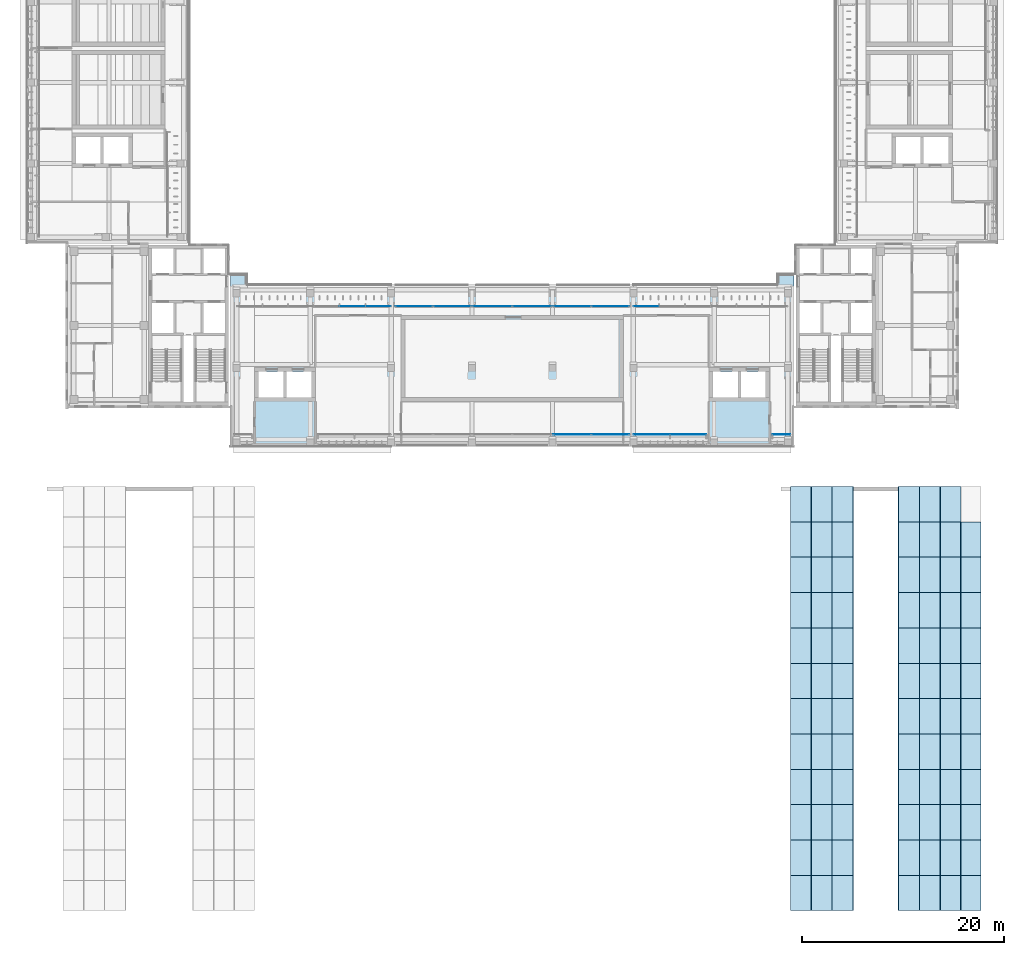
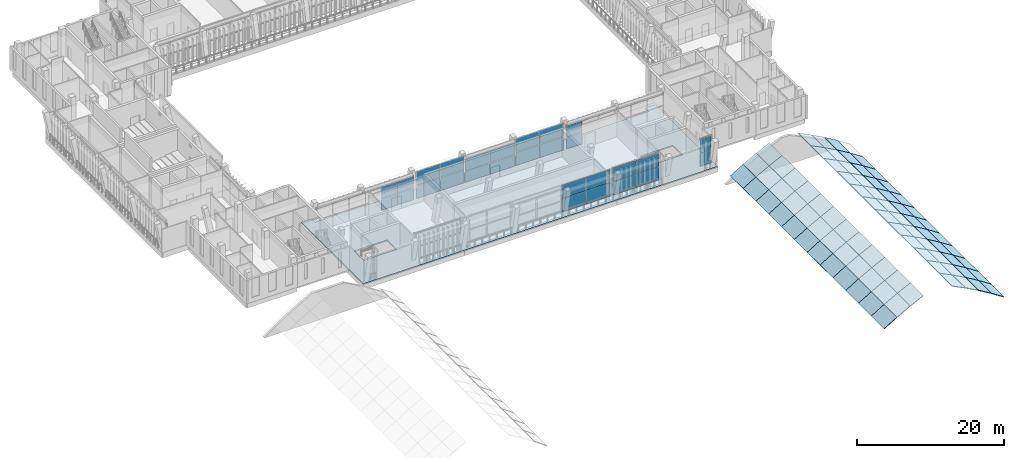
# One storey, part 37 of 74: 84 slabs, 28 plates, 8 elements without a shape of their own.
"""IFC4 building model written with IfcOpenShell, lengths in metres."""

from ifc_helpers import new_model, si_unit, direction, frame, origin, origin_2d, place, context, subcontext, project, spatial, polyline, rectangle, outline, extrude, material, layer, layer_set, type_object, element, aggregate, save


model = new_model("IFC4")

# Units and contexts
model_context = context("Model", 3, precision=1e-05, world=origin(), true_north=direction((0.0, 1.0)))
body_context = subcontext(model_context, "Body", "Model", "MODEL_VIEW")
ifc_project = project(units=[si_unit("LENGTHUNIT", "METRE"), si_unit("AREAUNIT", "SQUARE_METRE"), si_unit("VOLUMEUNIT", "CUBIC_METRE"), si_unit("PLANEANGLEUNIT", "RADIAN"), si_unit("MASSUNIT", "GRAM", prefix="KILO")], contexts=[model_context])

# Site, building, storey
site_placement = place(None, origin())
site = spatial("IfcSite", under=ifc_project, at=site_placement, CompositionType="ELEMENT")
building_placement = place(site_placement, origin())
building = spatial("IfcBuilding", under=site, at=building_placement, Name="Lantern Court Media Centre", CompositionType="ELEMENT")
storey_placement = place(building_placement, frame((0.0, 0.0, 19.199951171875)))
storey = spatial("IfcBuildingStorey", under=building, at=storey_placement, Name="L04", CompositionType="ELEMENT", Elevation=19.199951171875)

# Curtain wall, plates
ifc_material_1 = material(Name="Curtain wall bay 2400")
curtain_wall_type_1 = type_object("IfcCurtainWallType", Name="Curtain wall bay 2400", PredefinedType="NOTDEFINED", material=ifc_material_1)
curtain_wall_1_placement = place(storey_placement, origin())
curtain_wall_1 = element("IfcCurtainWall", 1, at=curtain_wall_1_placement, inside=storey, type_object=curtain_wall_type_1, Name="Curtain wall S inner L04", PredefinedType="NOTDEFINED")
ifc_material_2 = material(Name="Low-iron double glazed unit glass", Category="glass")
ifc_layer_1 = layer(ifc_material_2, 0.02392578125)
ifc_layer_set_1 = layer_set([ifc_layer_1], Name="Low-iron double glazed unit glass")
plate_type_1 = type_object("IfcPlateType", Name="Curtain wall glazing unit 24", PredefinedType="CURTAIN_PANEL", material=ifc_layer_set_1)
plate_1_placement = place(storey_placement, frame((36.175048828125, 57.85009765625, 0.050048828125), z_axis=(0.0, 0.0, 1.0), x_axis=(1.0, 0.0, 0.0)))
plate_1 = element("IfcPlate", 2, at=plate_1_placement, type_object=plate_type_1, Name="CW2 panel 5.1", PredefinedType="CURTAIN_PANEL", context=body_context, shape_type="SweptSolid", body=[
    extrude(rectangle(XDim=2.5, YDim=0.02392578125, at=origin_2d()), origin(), (0.0, 0.0, 1.0), 1.89990234375),
])
plate_2_placement = place(storey_placement, frame((36.175048828125, 57.85009765625, 2.0), z_axis=(0.0, 0.0, 1.0), x_axis=(1.0, 0.0, 0.0)))
plate_2 = element("IfcPlate", 3, at=plate_2_placement, type_object=plate_type_1, Name="CW2 panel 5.2", PredefinedType="CURTAIN_PANEL", context=body_context, shape_type="SweptSolid", body=[
    extrude(rectangle(XDim=2.5, YDim=0.02392578125, at=origin_2d()), origin(), (0.0, 0.0, 1.0), 1.89990234375),
])
plate_3_placement = place(storey_placement, frame((38.71240234375, 57.85009765625, 0.050048828125), z_axis=(0.0, 0.0, 1.0), x_axis=(1.0, 0.0, 0.0)))
plate_3 = element("IfcPlate", 4, at=plate_3_placement, type_object=plate_type_1, Name="CW2 panel 6.1", PredefinedType="CURTAIN_PANEL", context=body_context, shape_type="SweptSolid", body=[
    extrude(rectangle(XDim=2.47509765625, YDim=0.02392578125, at=origin_2d()), origin(), (0.0, 0.0, 1.0), 1.89990234375),
])
plate_4_placement = place(storey_placement, frame((38.71240234375, 57.85009765625, 2.0), z_axis=(0.0, 0.0, 1.0), x_axis=(1.0, 0.0, 0.0)))
plate_4 = element("IfcPlate", 5, at=plate_4_placement, type_object=plate_type_1, Name="CW2 panel 6.2", PredefinedType="CURTAIN_PANEL", context=body_context, shape_type="SweptSolid", body=[
    extrude(rectangle(XDim=2.47509765625, YDim=0.02392578125, at=origin_2d()), origin(), (0.0, 0.0, 1.0), 1.89990234375),
])
aggregate(curtain_wall_1, [plate_1, plate_2, plate_3, plate_4])

curtain_wall_2_placement = place(storey_placement, origin())
curtain_wall_2 = element("IfcCurtainWall", 6, at=curtain_wall_2_placement, inside=storey, type_object=curtain_wall_type_1, Name="Curtain wall S inner L04", PredefinedType="NOTDEFINED")
plate_5_placement = place(storey_placement, frame((65.28759765625, 57.85009765625, 0.050048828125), z_axis=(0.0, 0.0, 1.0), x_axis=(1.0, 0.0, 0.0)))
plate_5 = element("IfcPlate", 7, at=plate_5_placement, type_object=plate_type_1, Name="CW2 panel 1.1", PredefinedType="CURTAIN_PANEL", context=body_context, shape_type="SweptSolid", body=[
    extrude(rectangle(XDim=2.47509765625, YDim=0.02392578125, at=origin_2d()), origin(), (0.0, 0.0, 1.0), 1.89990234375),
])
plate_6_placement = place(storey_placement, frame((65.28759765625, 57.85009765625, 2.0), z_axis=(0.0, 0.0, 1.0), x_axis=(1.0, 0.0, 0.0)))
plate_6 = element("IfcPlate", 8, at=plate_6_placement, type_object=plate_type_1, Name="CW2 panel 1.2", PredefinedType="CURTAIN_PANEL", context=body_context, shape_type="SweptSolid", body=[
    extrude(rectangle(XDim=2.47509765625, YDim=0.02392578125, at=origin_2d()), origin(), (0.0, 0.0, 1.0), 1.89990234375),
])
aggregate(curtain_wall_2, [plate_5, plate_6])

ifc_material_3 = material(Name="Curtain wall bay 3000")
curtain_wall_type_2 = type_object("IfcCurtainWallType", Name="Curtain wall bay 3000", PredefinedType="NOTDEFINED", material=ifc_material_3)
curtain_wall_3_placement = place(storey_placement, origin())
curtain_wall_3 = element("IfcCurtainWall", 9, at=curtain_wall_3_placement, inside=storey, type_object=curtain_wall_type_2, Name="Curtain wall S outer L04", PredefinedType="NOTDEFINED")
ifc_layer_2 = layer(ifc_material_2, 0.028076171875)
ifc_layer_set_2 = layer_set([ifc_layer_2], Name="Low-iron double glazed unit glass")
plate_type_2 = type_object("IfcPlateType", Name="Curtain wall glazing unit 28", PredefinedType="CURTAIN_PANEL", material=ifc_layer_set_2)
plate_7_placement = place(storey_placement, frame((65.827392578125, 45.14990234375, 0.06005859375), z_axis=(0.0, 0.0, 1.0), x_axis=(1.0, 0.0, 0.0)))
plate_7 = element("IfcPlate", 10, at=plate_7_placement, type_object=plate_type_2, Name="CW1 panel 1.1", PredefinedType="CURTAIN_PANEL", context=body_context, shape_type="SweptSolid", body=[
    extrude(rectangle(XDim=3.534912109375, YDim=0.028076171875, at=origin_2d()), origin(), (0.0, 0.0, 1.0), 2.199951171875),
])
plate_8_placement = place(storey_placement, frame((65.827392578125, 45.14990234375, 2.3203125), z_axis=(0.0, 0.0, 1.0), x_axis=(1.0, 0.0, 0.0)))
plate_8 = element("IfcPlate", 11, at=plate_8_placement, type_object=plate_type_2, Name="CW1 panel 1.2", PredefinedType="CURTAIN_PANEL", context=body_context, shape_type="SweptSolid", body=[
    extrude(rectangle(XDim=3.534912109375, YDim=0.028076171875, at=origin_2d()), origin(), (0.0, 0.0, 1.0), 2.199951171875),
])
plate_9_placement = place(storey_placement, frame((69.422607421875, 45.14990234375, 0.06005859375), z_axis=(0.0, 0.0, 1.0), x_axis=(1.0, 0.0, 0.0)))
plate_9 = element("IfcPlate", 12, at=plate_9_placement, type_object=plate_type_2, Name="CW1 panel 2.1", PredefinedType="CURTAIN_PANEL", context=body_context, shape_type="SweptSolid", body=[
    extrude(rectangle(XDim=3.534912109375, YDim=0.028076171875, at=origin_2d()), origin(), (0.0, 0.0, 1.0), 2.199951171875),
])
plate_10_placement = place(storey_placement, frame((69.422607421875, 45.14990234375, 2.3203125), z_axis=(0.0, 0.0, 1.0), x_axis=(1.0, 0.0, 0.0)))
plate_10 = element("IfcPlate", 13, at=plate_10_placement, type_object=plate_type_2, Name="CW1 panel 2.2", PredefinedType="CURTAIN_PANEL", context=body_context, shape_type="SweptSolid", body=[
    extrude(rectangle(XDim=3.534912109375, YDim=0.028076171875, at=origin_2d()), origin(), (0.0, 0.0, 1.0), 2.199951171875),
])
aggregate(curtain_wall_3, [plate_7, plate_8, plate_9, plate_10])

curtain_wall_4_placement = place(storey_placement, origin())
curtain_wall_4 = element("IfcCurtainWall", 14, at=curtain_wall_4_placement, inside=storey, type_object=curtain_wall_type_2, Name="Curtain wall S outer L04", PredefinedType="NOTDEFINED")
plate_11_placement = place(storey_placement, frame((78.6650390625, 45.14990234375, 0.06005859375), z_axis=(0.0, 0.0, 1.0), x_axis=(1.0, 0.0, 0.0)))
plate_11 = element("IfcPlate", 15, at=plate_11_placement, type_object=plate_type_2, Name="CW1 panel 1.1", PredefinedType="CURTAIN_PANEL", context=body_context, shape_type="SweptSolid", body=[
    extrude(rectangle(XDim=1.7099609375, YDim=0.028076171875, at=origin_2d()), origin(), (0.0, 0.0, 1.0), 2.199951171875),
])
plate_12_placement = place(storey_placement, frame((78.6650390625, 45.14990234375, 2.3203125), z_axis=(0.0, 0.0, 1.0), x_axis=(1.0, 0.0, 0.0)))
plate_12 = element("IfcPlate", 16, at=plate_12_placement, type_object=plate_type_2, Name="CW1 panel 1.2", PredefinedType="CURTAIN_PANEL", context=body_context, shape_type="SweptSolid", body=[
    extrude(rectangle(XDim=1.7099609375, YDim=0.028076171875, at=origin_2d()), origin(), (0.0, 0.0, 1.0), 2.199951171875),
])
aggregate(curtain_wall_4, [plate_11, plate_12])

ifc_material_4 = material(Name="Curtain wall bay 4000")
curtain_wall_type_3 = type_object("IfcCurtainWallType", Name="Curtain wall bay 4000", PredefinedType="NOTDEFINED", material=ifc_material_4)
curtain_wall_5_placement = place(storey_placement, origin())
curtain_wall_5 = element("IfcCurtainWall", 17, at=curtain_wall_5_placement, inside=storey, type_object=curtain_wall_type_3, Name="Curtain wall S outer L04", PredefinedType="NOTDEFINED")
ifc_material_5 = material(Name="Laminated low-iron glass", Category="glass")
ifc_layer_3 = layer(ifc_material_5, 0.0400390625)
ifc_layer_set_3 = layer_set([ifc_layer_3], Name="Laminated low-iron glass")
plate_type_3 = type_object("IfcPlateType", Name="Curtain wall glazing unit 40", PredefinedType="CURTAIN_PANEL", material=ifc_layer_set_3)
plate_13_placement = place(storey_placement, frame((57.9326171875, 45.14990234375, 0.080078125), z_axis=(0.0, 0.0, 1.0), x_axis=(1.0, 0.0, 0.0)))
plate_13 = element("IfcPlate", 18, at=plate_13_placement, type_object=plate_type_3, Name="CW3 panel 1.1", PredefinedType="CURTAIN_PANEL", context=body_context, shape_type="SweptSolid", body=[
    extrude(rectangle(XDim=3.705078125, YDim=0.0400390625, at=origin_2d()), origin(), (0.0, 0.0, 1.0), 2.169921875),
])
plate_14_placement = place(storey_placement, frame((57.9326171875, 45.14990234375, 2.330078125), z_axis=(0.0, 0.0, 1.0), x_axis=(1.0, 0.0, 0.0)))
plate_14 = element("IfcPlate", 19, at=plate_14_placement, type_object=plate_type_3, Name="CW3 panel 1.2", PredefinedType="CURTAIN_PANEL", context=body_context, shape_type="SweptSolid", body=[
    extrude(rectangle(XDim=3.705078125, YDim=0.0400390625, at=origin_2d()), origin(), (0.0, 0.0, 1.0), 2.169921875),
])
plate_15_placement = place(storey_placement, frame((61.717529296875, 45.14990234375, 0.080078125), z_axis=(0.0, 0.0, 1.0), x_axis=(1.0, 0.0, 0.0)))
plate_15 = element("IfcPlate", 20, at=plate_15_placement, type_object=plate_type_3, Name="CW3 panel 2.1", PredefinedType="CURTAIN_PANEL", context=body_context, shape_type="SweptSolid", body=[
    extrude(rectangle(XDim=3.705078125, YDim=0.0400390625, at=origin_2d()), origin(), (0.0, 0.0, 1.0), 2.169921875),
])
plate_16_placement = place(storey_placement, frame((61.717529296875, 45.14990234375, 2.330078125), z_axis=(0.0, 0.0, 1.0), x_axis=(1.0, 0.0, 0.0)))
plate_16 = element("IfcPlate", 21, at=plate_16_placement, type_object=plate_type_3, Name="CW3 panel 2.2", PredefinedType="CURTAIN_PANEL", context=body_context, shape_type="SweptSolid", body=[
    extrude(rectangle(XDim=3.705078125, YDim=0.0400390625, at=origin_2d()), origin(), (0.0, 0.0, 1.0), 2.169921875),
])
aggregate(curtain_wall_5, [plate_13, plate_14, plate_15, plate_16])

curtain_wall_6_placement = place(storey_placement, origin())
curtain_wall_6 = element("IfcCurtainWall", 22, at=curtain_wall_6_placement, inside=storey, type_object=curtain_wall_type_3, Name="Curtain wall S inner L04", PredefinedType="NOTDEFINED")
plate_17_placement = place(storey_placement, frame((42.282470703125, 57.85009765625, 0.080078125), z_axis=(0.0, 0.0, 1.0), x_axis=(1.0, 0.0, 0.0)))
plate_17 = element("IfcPlate", 23, at=plate_17_placement, type_object=plate_type_3, Name="CW3 panel 1.1", PredefinedType="CURTAIN_PANEL", context=body_context, shape_type="SweptSolid", body=[
    extrude(rectangle(XDim=3.705078125, YDim=0.0400390625, at=origin_2d()), origin(), (0.0, 0.0, 1.0), 2.169921875),
])
plate_18_placement = place(storey_placement, frame((42.282470703125, 57.85009765625, 2.330078125), z_axis=(0.0, 0.0, 1.0), x_axis=(1.0, 0.0, 0.0)))
plate_18 = element("IfcPlate", 24, at=plate_18_placement, type_object=plate_type_3, Name="CW3 panel 1.2", PredefinedType="CURTAIN_PANEL", context=body_context, shape_type="SweptSolid", body=[
    extrude(rectangle(XDim=3.705078125, YDim=0.0400390625, at=origin_2d()), origin(), (0.0, 0.0, 1.0), 2.169921875),
])
plate_19_placement = place(storey_placement, frame((46.0673828125, 57.85009765625, 0.080078125), z_axis=(0.0, 0.0, 1.0), x_axis=(1.0, 0.0, 0.0)))
plate_19 = element("IfcPlate", 25, at=plate_19_placement, type_object=plate_type_3, Name="CW3 panel 2.1", PredefinedType="CURTAIN_PANEL", context=body_context, shape_type="SweptSolid", body=[
    extrude(rectangle(XDim=3.705078125, YDim=0.0400390625, at=origin_2d()), origin(), (0.0, 0.0, 1.0), 2.169921875),
])
plate_20_placement = place(storey_placement, frame((46.0673828125, 57.85009765625, 2.330078125), z_axis=(0.0, 0.0, 1.0), x_axis=(1.0, 0.0, 0.0)))
plate_20 = element("IfcPlate", 26, at=plate_20_placement, type_object=plate_type_3, Name="CW3 panel 2.2", PredefinedType="CURTAIN_PANEL", context=body_context, shape_type="SweptSolid", body=[
    extrude(rectangle(XDim=3.705078125, YDim=0.0400390625, at=origin_2d()), origin(), (0.0, 0.0, 1.0), 2.169921875),
])
aggregate(curtain_wall_6, [plate_17, plate_18, plate_19, plate_20])

curtain_wall_7_placement = place(storey_placement, origin())
curtain_wall_7 = element("IfcCurtainWall", 27, at=curtain_wall_7_placement, inside=storey, type_object=curtain_wall_type_3, Name="Curtain wall S inner L04", PredefinedType="NOTDEFINED")
plate_21_placement = place(storey_placement, frame((50.02001953125, 57.85009765625, 0.080078125), z_axis=(0.0, 0.0, 1.0), x_axis=(1.0, 0.0, 0.0)))
plate_21 = element("IfcPlate", 28, at=plate_21_placement, type_object=plate_type_3, Name="CW3 panel 1.1", PredefinedType="CURTAIN_PANEL", context=body_context, shape_type="SweptSolid", body=[
    extrude(rectangle(XDim=3.8798828125, YDim=0.0400390625, at=origin_2d()), origin(), (0.0, 0.0, 1.0), 1.85498046875),
])
plate_22_placement = place(storey_placement, frame((50.02001953125, 57.85009765625, 2.01513671875), z_axis=(0.0, 0.0, 1.0), x_axis=(1.0, 0.0, 0.0)))
plate_22 = element("IfcPlate", 29, at=plate_22_placement, type_object=plate_type_3, Name="CW3 panel 1.2", PredefinedType="CURTAIN_PANEL", context=body_context, shape_type="SweptSolid", body=[
    extrude(rectangle(XDim=3.8798828125, YDim=0.0400390625, at=origin_2d()), origin(), (0.0, 0.0, 1.0), 1.85498046875),
])
plate_23_placement = place(storey_placement, frame((53.97998046875, 57.85009765625, 0.080078125), z_axis=(0.0, 0.0, 1.0), x_axis=(1.0, 0.0, 0.0)))
plate_23 = element("IfcPlate", 30, at=plate_23_placement, type_object=plate_type_3, Name="CW3 panel 2.1", PredefinedType="CURTAIN_PANEL", context=body_context, shape_type="SweptSolid", body=[
    extrude(rectangle(XDim=3.8798828125, YDim=0.0400390625, at=origin_2d()), origin(), (0.0, 0.0, 1.0), 1.85498046875),
])
plate_24_placement = place(storey_placement, frame((53.97998046875, 57.85009765625, 2.01513671875), z_axis=(0.0, 0.0, 1.0), x_axis=(1.0, 0.0, 0.0)))
plate_24 = element("IfcPlate", 31, at=plate_24_placement, type_object=plate_type_3, Name="CW3 panel 2.2", PredefinedType="CURTAIN_PANEL", context=body_context, shape_type="SweptSolid", body=[
    extrude(rectangle(XDim=3.8798828125, YDim=0.0400390625, at=origin_2d()), origin(), (0.0, 0.0, 1.0), 1.85498046875),
])
aggregate(curtain_wall_7, [plate_21, plate_22, plate_23, plate_24])

curtain_wall_8_placement = place(storey_placement, origin())
curtain_wall_8 = element("IfcCurtainWall", 32, at=curtain_wall_8_placement, inside=storey, type_object=curtain_wall_type_3, Name="Curtain wall S inner L04", PredefinedType="NOTDEFINED")
plate_25_placement = place(storey_placement, frame((57.9326171875, 57.85009765625, 0.080078125), z_axis=(0.0, 0.0, 1.0), x_axis=(1.0, 0.0, 0.0)))
plate_25 = element("IfcPlate", 33, at=plate_25_placement, type_object=plate_type_3, Name="CW3 panel 1.1", PredefinedType="CURTAIN_PANEL", context=body_context, shape_type="SweptSolid", body=[
    extrude(rectangle(XDim=3.705078125, YDim=0.0400390625, at=origin_2d()), origin(), (0.0, 0.0, 1.0), 2.169921875),
])
plate_26_placement = place(storey_placement, frame((57.9326171875, 57.85009765625, 2.330078125), z_axis=(0.0, 0.0, 1.0), x_axis=(1.0, 0.0, 0.0)))
plate_26 = element("IfcPlate", 34, at=plate_26_placement, type_object=plate_type_3, Name="CW3 panel 1.2", PredefinedType="CURTAIN_PANEL", context=body_context, shape_type="SweptSolid", body=[
    extrude(rectangle(XDim=3.705078125, YDim=0.0400390625, at=origin_2d()), origin(), (0.0, 0.0, 1.0), 2.169921875),
])
plate_27_placement = place(storey_placement, frame((61.717529296875, 57.85009765625, 0.080078125), z_axis=(0.0, 0.0, 1.0), x_axis=(1.0, 0.0, 0.0)))
plate_27 = element("IfcPlate", 35, at=plate_27_placement, type_object=plate_type_3, Name="CW3 panel 2.1", PredefinedType="CURTAIN_PANEL", context=body_context, shape_type="SweptSolid", body=[
    extrude(rectangle(XDim=3.705078125, YDim=0.0400390625, at=origin_2d()), origin(), (0.0, 0.0, 1.0), 2.169921875),
])
plate_28_placement = place(storey_placement, frame((61.717529296875, 57.85009765625, 2.330078125), z_axis=(0.0, 0.0, 1.0), x_axis=(1.0, 0.0, 0.0)))
plate_28 = element("IfcPlate", 36, at=plate_28_placement, type_object=plate_type_3, Name="CW3 panel 2.2", PredefinedType="CURTAIN_PANEL", context=body_context, shape_type="SweptSolid", body=[
    extrude(rectangle(XDim=3.705078125, YDim=0.0400390625, at=origin_2d()), origin(), (0.0, 0.0, 1.0), 2.169921875),
])
aggregate(curtain_wall_8, [plate_25, plate_26, plate_27, plate_28])

# Slabs
ifc_material_6 = material(Name="Zinc standing seam on insulation")
ifc_layer_4 = layer(ifc_material_6, 0.10009765625)
ifc_layer_set_4 = layer_set([ifc_layer_4], Name="Zinc standing seam on insulation")
slab_type_1 = type_object("IfcSlabType", Name="Hall roof panel, standing seam 100", PredefinedType="ROOF", material=ifc_layer_set_4)
for number, where, z_axis, x_axis, name in (
    (37, (79.55517578125, -2.0, 0.989990234375), (-0.513142964408, 0.0, 0.858303150454), (0.858303150454, 0.0, 0.513142964408), "Studio Hall roof panel"),
    (38, (79.55517578125, 1.5, 0.989990234375), (-0.513142964408, 0.0, 0.858303150454), (0.858303150454, 0.0, 0.513142964408), "Studio Hall roof panel"),
    (39, (79.55517578125, 5.0, 0.989990234375), (-0.513142964408, 0.0, 0.858303150454), (0.858303150454, 0.0, 0.513142964408), "Studio Hall roof panel"),
    (40, (79.55517578125, 8.5, 0.989990234375), (-0.513142964408, 0.0, 0.858303150454), (0.858303150454, 0.0, 0.513142964408), "Studio Hall roof panel"),
    (41, (79.55517578125, 12.0, 0.989990234375), (-0.513142964408, 0.0, 0.858303150454), (0.858303150454, 0.0, 0.513142964408), "Studio Hall roof panel"),
    (42, (79.55517578125, 15.5, 0.989990234375), (-0.513142964408, 0.0, 0.858303150454), (0.858303150454, 0.0, 0.513142964408), "Studio Hall roof panel"),
    (43, (79.55517578125, 19.0, 0.989990234375), (-0.513142964408, 0.0, 0.858303150454), (0.858303150454, 0.0, 0.513142964408), "Studio Hall roof panel"),
    (44, (79.55517578125, 22.5, 0.989990234375), (-0.513142964408, 0.0, 0.858303150454), (0.858303150454, 0.0, 0.513142964408), "Studio Hall roof panel"),
    (45, (79.55517578125, 26.0, 0.989990234375), (-0.513142964408, 0.0, 0.858303150454), (0.858303150454, 0.0, 0.513142964408), "Studio Hall roof panel"),
    (46, (79.55517578125, 29.5, 0.989990234375), (-0.513142964408, 0.0, 0.858303150454), (0.858303150454, 0.0, 0.513142964408), "Studio Hall roof panel"),
    (47, (79.55517578125, 33.0, 0.989990234375), (-0.513142964408, 0.0, 0.858303150454), (0.858303150454, 0.0, 0.513142964408), "Studio Hall roof panel"),
    (48, (79.55517578125, 36.5, 0.989990234375), (-0.513142964408, 0.0, 0.858303150454), (0.858303150454, 0.0, 0.513142964408), "Studio Hall roof panel"),
):
    element("IfcSlab", number, at=place(storey_placement, frame(where, z_axis=z_axis, x_axis=x_axis)), inside=storey, type_object=slab_type_1, Name=name, PredefinedType="ROOF", context=body_context, shape_type="SweptSolid", body=[
        extrude(outline(polyline([(0.0, 0.0), (2.3631747261189013, 0.0), (2.3631747261189013, 3.499999999999999), (0.0, 3.499999999999999), (0.0, 0.0)])), origin(), (0.0, 0.0, -1.0), 0.10009765625),
    ])
for number, where, z_axis, x_axis, name in (
    (49, (81.59130859375, -2.0, 2.20703125), (-0.478910031634, 0.0, 0.877863988099), (0.877863988099, 0.0, 0.478910031634), "Studio Hall roof panel"),
    (50, (81.59130859375, 1.5, 2.20703125), (-0.478910031634, 0.0, 0.877863988099), (0.877863988099, 0.0, 0.478910031634), "Studio Hall roof panel"),
    (51, (81.59130859375, 5.0, 2.20703125), (-0.478910031634, 0.0, 0.877863988099), (0.877863988099, 0.0, 0.478910031634), "Studio Hall roof panel"),
    (52, (81.59130859375, 8.5, 2.20703125), (-0.478910031634, 0.0, 0.877863988099), (0.877863988099, 0.0, 0.478910031634), "Studio Hall roof panel"),
    (53, (81.59130859375, 12.0, 2.20703125), (-0.478910031634, 0.0, 0.877863988099), (0.877863988099, 0.0, 0.478910031634), "Studio Hall roof panel"),
    (54, (81.59130859375, 15.5, 2.20703125), (-0.478910031634, 0.0, 0.877863988099), (0.877863988099, 0.0, 0.478910031634), "Studio Hall roof panel"),
    (55, (81.59130859375, 19.0, 2.20703125), (-0.478910031634, 0.0, 0.877863988099), (0.877863988099, 0.0, 0.478910031634), "Studio Hall roof panel"),
    (56, (81.59130859375, 22.5, 2.20703125), (-0.478910031634, 0.0, 0.877863988099), (0.877863988099, 0.0, 0.478910031634), "Studio Hall roof panel"),
    (57, (81.59130859375, 26.0, 2.20703125), (-0.478910031634, 0.0, 0.877863988099), (0.877863988099, 0.0, 0.478910031634), "Studio Hall roof panel"),
    (58, (81.59130859375, 29.5, 2.20703125), (-0.478910031634, 0.0, 0.877863988099), (0.877863988099, 0.0, 0.478910031634), "Studio Hall roof panel"),
    (59, (81.59130859375, 33.0, 2.20703125), (-0.478910031634, 0.0, 0.877863988099), (0.877863988099, 0.0, 0.478910031634), "Studio Hall roof panel"),
    (60, (81.59130859375, 36.5, 2.20703125), (-0.478910031634, 0.0, 0.877863988099), (0.877863988099, 0.0, 0.478910031634), "Studio Hall roof panel"),
):
    element("IfcSlab", number, at=place(storey_placement, frame(where, z_axis=z_axis, x_axis=x_axis)), inside=storey, type_object=slab_type_1, Name=name, PredefinedType="ROOF", context=body_context, shape_type="SweptSolid", body=[
        extrude(outline(polyline([(0.0, 0.0), (2.3633581732218865, 0.0), (2.3633581732218865, 3.5), (0.0, 3.5), (0.0, 0.0)])), origin(), (0.0, 0.0, -1.0), 0.10009765625),
    ])
for number, where, z_axis, x_axis, name in (
    (61, (83.673828125, -2.0, 3.3427734375), (-0.44389249105, 0.0, 0.896080050213), (0.896080050213, 0.0, 0.44389249105), "Studio Hall roof panel"),
    (62, (83.673828125, 1.5, 3.3427734375), (-0.44389249105, 0.0, 0.896080050213), (0.896080050213, 0.0, 0.44389249105), "Studio Hall roof panel"),
    (63, (83.673828125, 5.0, 3.3427734375), (-0.44389249105, 0.0, 0.896080050213), (0.896080050213, 0.0, 0.44389249105), "Studio Hall roof panel"),
    (64, (83.673828125, 8.5, 3.3427734375), (-0.44389249105, 0.0, 0.896080050213), (0.896080050213, 0.0, 0.44389249105), "Studio Hall roof panel"),
    (65, (83.673828125, 12.0, 3.3427734375), (-0.44389249105, 0.0, 0.896080050213), (0.896080050213, 0.0, 0.44389249105), "Studio Hall roof panel"),
    (66, (83.673828125, 15.5, 3.3427734375), (-0.44389249105, 0.0, 0.896080050213), (0.896080050213, 0.0, 0.44389249105), "Studio Hall roof panel"),
    (67, (83.673828125, 19.0, 3.3427734375), (-0.44389249105, 0.0, 0.896080050213), (0.896080050213, 0.0, 0.44389249105), "Studio Hall roof panel"),
    (68, (83.673828125, 22.5, 3.3427734375), (-0.44389249105, 0.0, 0.896080050213), (0.896080050213, 0.0, 0.44389249105), "Studio Hall roof panel"),
    (69, (83.673828125, 26.0, 3.3427734375), (-0.44389249105, 0.0, 0.896080050213), (0.896080050213, 0.0, 0.44389249105), "Studio Hall roof panel"),
    (70, (83.673828125, 29.5, 3.3427734375), (-0.44389249105, 0.0, 0.896080050213), (0.896080050213, 0.0, 0.44389249105), "Studio Hall roof panel"),
    (71, (83.673828125, 33.0, 3.3427734375), (-0.44389249105, 0.0, 0.896080050213), (0.896080050213, 0.0, 0.44389249105), "Studio Hall roof panel"),
    (72, (83.673828125, 36.5, 3.3427734375), (-0.44389249105, 0.0, 0.896080050213), (0.896080050213, 0.0, 0.44389249105), "Studio Hall roof panel"),
    (73, (90.26904296875, -2.0, 4.36181640625), (0.44389249105, 0.0, 0.896080050213), (0.896080050213, 0.0, -0.44389249105), "Studio Hall roof panel"),
    (74, (90.26904296875, 1.5, 4.36181640625), (0.44389249105, 0.0, 0.896080050213), (0.896080050213, 0.0, -0.44389249105), "Studio Hall roof panel"),
    (75, (90.26904296875, 5.0, 4.36181640625), (0.44389249105, 0.0, 0.896080050213), (0.896080050213, 0.0, -0.44389249105), "Studio Hall roof panel"),
    (76, (90.26904296875, 8.5, 4.36181640625), (0.44389249105, 0.0, 0.896080050213), (0.896080050213, 0.0, -0.44389249105), "Studio Hall roof panel"),
    (77, (90.26904296875, 12.0, 4.36181640625), (0.44389249105, 0.0, 0.896080050213), (0.896080050213, 0.0, -0.44389249105), "Studio Hall roof panel"),
    (78, (90.26904296875, 15.5, 4.36181640625), (0.44389249105, 0.0, 0.896080050213), (0.896080050213, 0.0, -0.44389249105), "Studio Hall roof panel"),
    (79, (90.26904296875, 19.0, 4.36181640625), (0.44389249105, 0.0, 0.896080050213), (0.896080050213, 0.0, -0.44389249105), "Studio Hall roof panel"),
    (80, (90.26904296875, 22.5, 4.36181640625), (0.44389249105, 0.0, 0.896080050213), (0.896080050213, 0.0, -0.44389249105), "Studio Hall roof panel"),
    (81, (90.26904296875, 26.0, 4.36181640625), (0.44389249105, 0.0, 0.896080050213), (0.896080050213, 0.0, -0.44389249105), "Studio Hall roof panel"),
    (82, (90.26904296875, 29.5, 4.36181640625), (0.44389249105, 0.0, 0.896080050213), (0.896080050213, 0.0, -0.44389249105), "Studio Hall roof panel"),
    (83, (90.26904296875, 33.0, 4.36181640625), (0.44389249105, 0.0, 0.896080050213), (0.896080050213, 0.0, -0.44389249105), "Studio Hall roof panel"),
    (84, (90.26904296875, 36.5, 4.36181640625), (0.44389249105, 0.0, 0.896080050213), (0.896080050213, 0.0, -0.44389249105), "Studio Hall roof panel"),
):
    element("IfcSlab", number, at=place(storey_placement, frame(where, z_axis=z_axis, x_axis=x_axis)), inside=storey, type_object=slab_type_1, Name=name, PredefinedType="ROOF", context=body_context, shape_type="SweptSolid", body=[
        extrude(outline(polyline([(0.0, 0.0), (2.295697695492186, 0.0), (2.295697695492186, 3.500000000000001), (0.0, 3.500000000000001), (0.0, 0.0)])), origin(), (0.0, 0.0, -1.0), 0.10009765625),
    ])
for number, where, z_axis, x_axis, name in (
    (85, (92.333984375, -2.0, 3.3388671875), (0.478910031634, 0.0, 0.877863988099), (0.877863988099, 0.0, -0.478910031634), "Studio Hall roof panel"),
    (86, (92.333984375, 1.5, 3.3388671875), (0.478910031634, 0.0, 0.877863988099), (0.877863988099, 0.0, -0.478910031634), "Studio Hall roof panel"),
    (87, (92.333984375, 5.0, 3.3388671875), (0.478910031634, 0.0, 0.877863988099), (0.877863988099, 0.0, -0.478910031634), "Studio Hall roof panel"),
    (88, (92.333984375, 8.5, 3.3388671875), (0.478910031634, 0.0, 0.877863988099), (0.877863988099, 0.0, -0.478910031634), "Studio Hall roof panel"),
    (89, (92.333984375, 12.0, 3.3388671875), (0.478910031634, 0.0, 0.877863988099), (0.877863988099, 0.0, -0.478910031634), "Studio Hall roof panel"),
    (90, (92.333984375, 15.5, 3.3388671875), (0.478910031634, 0.0, 0.877863988099), (0.877863988099, 0.0, -0.478910031634), "Studio Hall roof panel"),
    (91, (92.333984375, 19.0, 3.3388671875), (0.478910031634, 0.0, 0.877863988099), (0.877863988099, 0.0, -0.478910031634), "Studio Hall roof panel"),
    (92, (92.333984375, 22.5, 3.3388671875), (0.478910031634, 0.0, 0.877863988099), (0.877863988099, 0.0, -0.478910031634), "Studio Hall roof panel"),
    (93, (92.333984375, 26.0, 3.3388671875), (0.478910031634, 0.0, 0.877863988099), (0.877863988099, 0.0, -0.478910031634), "Studio Hall roof panel"),
    (94, (92.333984375, 29.5, 3.3388671875), (0.478910031634, 0.0, 0.877863988099), (0.877863988099, 0.0, -0.478910031634), "Studio Hall roof panel"),
    (95, (92.333984375, 33.0, 3.3388671875), (0.478910031634, 0.0, 0.877863988099), (0.877863988099, 0.0, -0.478910031634), "Studio Hall roof panel"),
    (96, (92.333984375, 36.5, 3.3388671875), (0.478910031634, 0.0, 0.877863988099), (0.877863988099, 0.0, -0.478910031634), "Studio Hall roof panel"),
):
    element("IfcSlab", number, at=place(storey_placement, frame(where, z_axis=z_axis, x_axis=x_axis)), inside=storey, type_object=slab_type_1, Name=name, PredefinedType="ROOF", context=body_context, shape_type="SweptSolid", body=[
        extrude(outline(polyline([(0.0, 0.0), (2.3633581732218865, 0.0), (2.3633581732218865, 3.5), (0.0, 3.5), (0.0, 0.0)])), origin(), (0.0, 0.0, -1.0), 0.10009765625),
    ])
for number, where, z_axis, x_axis, name in (
    (97, (94.41650390625, -2.0, 2.20263671875), (0.513142964408, 0.0, 0.858303150454), (0.858303150454, 0.0, -0.513142964408), "Studio Hall roof panel"),
    (98, (94.41650390625, 1.5, 2.20263671875), (0.513142964408, 0.0, 0.858303150454), (0.858303150454, 0.0, -0.513142964408), "Studio Hall roof panel"),
    (99, (94.41650390625, 5.0, 2.20263671875), (0.513142964408, 0.0, 0.858303150454), (0.858303150454, 0.0, -0.513142964408), "Studio Hall roof panel"),
    (100, (94.41650390625, 8.5, 2.20263671875), (0.513142964408, 0.0, 0.858303150454), (0.858303150454, 0.0, -0.513142964408), "Studio Hall roof panel"),
    (101, (94.41650390625, 12.0, 2.20263671875), (0.513142964408, 0.0, 0.858303150454), (0.858303150454, 0.0, -0.513142964408), "Studio Hall roof panel"),
    (102, (94.41650390625, 15.5, 2.20263671875), (0.513142964408, 0.0, 0.858303150454), (0.858303150454, 0.0, -0.513142964408), "Studio Hall roof panel"),
    (103, (94.41650390625, 19.0, 2.20263671875), (0.513142964408, 0.0, 0.858303150454), (0.858303150454, 0.0, -0.513142964408), "Studio Hall roof panel"),
    (104, (94.41650390625, 22.5, 2.20263671875), (0.513142964408, 0.0, 0.858303150454), (0.858303150454, 0.0, -0.513142964408), "Studio Hall roof panel"),
    (105, (94.41650390625, 26.0, 2.20263671875), (0.513142964408, 0.0, 0.858303150454), (0.858303150454, 0.0, -0.513142964408), "Studio Hall roof panel"),
    (106, (94.41650390625, 29.5, 2.20263671875), (0.513142964408, 0.0, 0.858303150454), (0.858303150454, 0.0, -0.513142964408), "Studio Hall roof panel"),
    (107, (94.41650390625, 33.0, 2.20263671875), (0.513142964408, 0.0, 0.858303150454), (0.858303150454, 0.0, -0.513142964408), "Studio Hall roof panel"),
    (108, (94.41650390625, 36.5, 2.20263671875), (0.513142964408, 0.0, 0.858303150454), (0.858303150454, 0.0, -0.513142964408), "Studio Hall roof panel"),
):
    element("IfcSlab", number, at=place(storey_placement, frame(where, z_axis=z_axis, x_axis=x_axis)), inside=storey, type_object=slab_type_1, Name=name, PredefinedType="ROOF", context=body_context, shape_type="SweptSolid", body=[
        extrude(outline(polyline([(0.0, 0.0), (2.3631747261189013, 0.0), (2.3631747261189013, 3.499999999999999), (0.0, 3.499999999999999), (0.0, 0.0)])), origin(), (0.0, 0.0, -1.0), 0.10009765625),
    ])
for number, where, z_axis, x_axis, name in (
    (109, (96.452392578125, -2.0, 0.985107421875), (0.546639605859, 0.0, 0.837367984405), (0.837367984405, 0.0, -0.546639605859), "Studio Hall roof panel"),
    (110, (96.452392578125, 1.5, 0.985107421875), (0.546639605859, 0.0, 0.837367984405), (0.837367984405, 0.0, -0.546639605859), "Studio Hall roof panel"),
    (111, (96.452392578125, 5.0, 0.985107421875), (0.546639605859, 0.0, 0.837367984405), (0.837367984405, 0.0, -0.546639605859), "Studio Hall roof panel"),
    (112, (96.452392578125, 8.5, 0.985107421875), (0.546639605859, 0.0, 0.837367984405), (0.837367984405, 0.0, -0.546639605859), "Studio Hall roof panel"),
    (113, (96.452392578125, 12.0, 0.985107421875), (0.546639605859, 0.0, 0.837367984405), (0.837367984405, 0.0, -0.546639605859), "Studio Hall roof panel"),
    (114, (96.452392578125, 15.5, 0.985107421875), (0.546639605859, 0.0, 0.837367984405), (0.837367984405, 0.0, -0.546639605859), "Studio Hall roof panel"),
    (115, (96.452392578125, 19.0, 0.985107421875), (0.546639605859, 0.0, 0.837367984405), (0.837367984405, 0.0, -0.546639605859), "Studio Hall roof panel"),
    (116, (96.452392578125, 22.5, 0.985107421875), (0.546639605859, 0.0, 0.837367984405), (0.837367984405, 0.0, -0.546639605859), "Studio Hall roof panel"),
    (117, (96.452392578125, 26.0, 0.985107421875), (0.546639605859, 0.0, 0.837367984405), (0.837367984405, 0.0, -0.546639605859), "Studio Hall roof panel"),
    (118, (96.452392578125, 29.5, 0.985107421875), (0.546639605859, 0.0, 0.837367984405), (0.837367984405, 0.0, -0.546639605859), "Studio Hall roof panel"),
    (119, (96.452392578125, 33.0, 0.985107421875), (0.546639605859, 0.0, 0.837367984405), (0.837367984405, 0.0, -0.546639605859), "Studio Hall roof panel"),
):
    element("IfcSlab", number, at=place(storey_placement, frame(where, z_axis=z_axis, x_axis=x_axis)), inside=storey, type_object=slab_type_1, Name=name, PredefinedType="ROOF", context=body_context, shape_type="SweptSolid", body=[
        extrude(outline(polyline([(0.0, 0.0), (2.3630707197757923, 0.0), (2.3630707197757923, 3.4999999999999996), (0.0, 3.4999999999999996), (0.0, 0.0)])), origin(), (0.0, 0.0, -1.0), 0.10009765625),
    ])
ifc_material_7 = material(Name="Concrete C35", Category="concrete")
ifc_layer_5 = layer(ifc_material_7, 0.219970703125)
ifc_layer_set_5 = layer_set([ifc_layer_5], Name="Concrete C35")
slab_type_2 = type_object("IfcSlabType", Name="RC FLOOR SLAB 220", PredefinedType="FLOOR", material=ifc_layer_set_5)
slab_placement = place(storey_placement, frame((0.0, 0.0, -0.219970703125)))
element("IfcSlab", 120, at=slab_placement, inside=storey, type_object=slab_type_2, Name="SL-S-L04", PredefinedType="FLOOR", context=body_context, shape_type="SweptSolid", body=[
    extrude(outline(polyline([(24.10009765625, 60.0), (24.10009765625, 61.0), (25.699951171875, 61.0), (25.699951171875, 60.0), (78.300048828125, 60.0), (78.300048828125, 61.0), (79.89990234375, 61.0), (79.89990234375, 60.0), (79.89990234375, 44.0), (24.10009765625, 44.0), (24.10009765625, 60.0)]), holes=[polyline([(32.10009765625, 51.39990234375), (26.89990234375, 51.39990234375), (26.89990234375, 48.800048828125), (32.10009765625, 48.800048828125), (32.10009765625, 51.39990234375)]), polyline([(77.10009765625, 51.39990234375), (71.89990234375, 51.39990234375), (71.89990234375, 48.800048828125), (77.10009765625, 48.800048828125), (77.10009765625, 51.39990234375)])]), origin(), (0.0, 0.0, 1.0), 0.219970703125),
])

save(model, "model.ifc")
